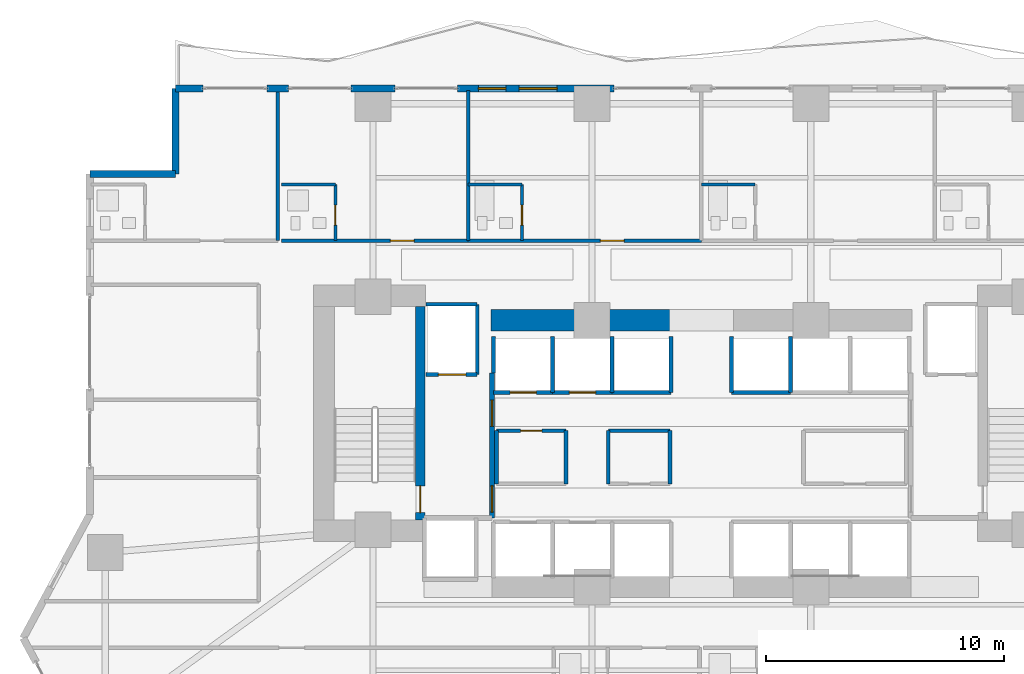
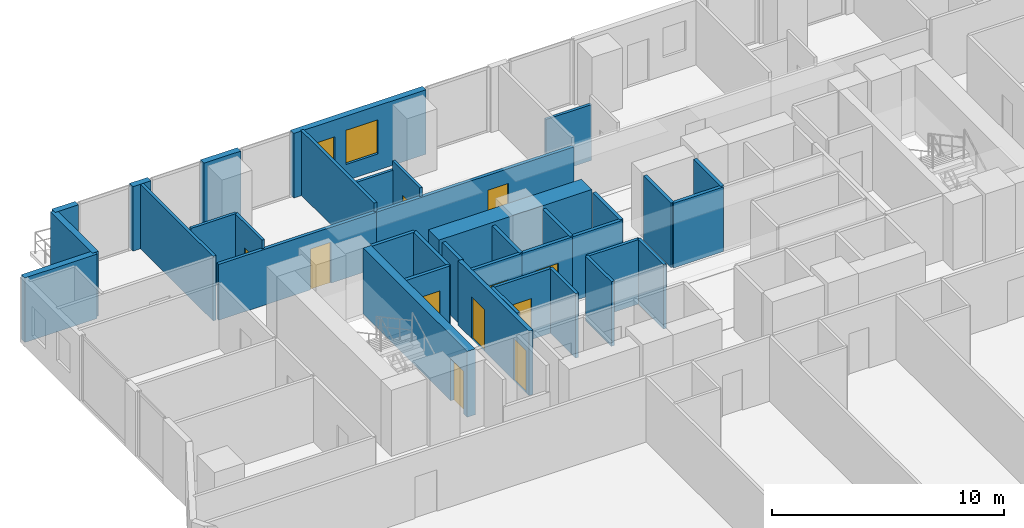
# One storey, part 21 of 30: 37 walls, 11 doors, 2 windows, 13 openings.
"""IFC4 building model written with IfcOpenShell, lengths in metres."""

from ifc_helpers import new_model, si_unit, direction, frame, frame_2d, origin, place, context, subcontext, project, spatial, rectangle, extrude, material, layer, layer_set, type_object, element, fill, save


model = new_model("IFC4")

# Units and contexts
model_context = context("Model", 3, precision=1e-05, world=origin(), true_north=direction((0.0, 1.0)))
body_context = subcontext(model_context, "Body", "Model", "MODEL_VIEW")
ifc_project = project(units=[si_unit("LENGTHUNIT", "METRE"), si_unit("AREAUNIT", "SQUARE_METRE"), si_unit("VOLUMEUNIT", "CUBIC_METRE"), si_unit("PLANEANGLEUNIT", "RADIAN"), si_unit("MASSUNIT", "GRAM", prefix="KILO")], contexts=[model_context])

# Site, building, storey
site_placement = place(None, origin())
site = spatial("IfcSite", under=ifc_project, at=site_placement, CompositionType="ELEMENT")
building_placement = place(site_placement, origin())
building = spatial("IfcBuilding", under=site, at=building_placement, Name="Zuhayl Quay Hotel", CompositionType="ELEMENT")
storey_placement = place(building_placement, frame((0.0, 0.0, 86.0)))
storey = spatial("IfcBuildingStorey", under=building, at=storey_placement, Name="L21", CompositionType="ELEMENT", Elevation=86.0)

# Walls
ifc_material_1 = material(Name="Concrete C70/85", Category="concrete")
ifc_layer_1 = layer(ifc_material_1, 0.89990234375, Name="Concrete C70/85", Category="concrete")
ifc_layer_set_1 = layer_set([ifc_layer_1], Name="Concrete C70/85")
wall_type_1 = type_object("IfcWallType", Name="WL_CORE_900", PredefinedType="SHEAR", material=ifc_layer_set_1)
wall_1_placement = place(storey_placement, frame((-8.85009765625, 13.35009765625, 0.0), z_axis=(0.0, 0.0, 1.0), x_axis=(1.0, 0.0, 0.0)))
element("IfcWall", 1, at=wall_1_placement, inside=storey, type_object=wall_type_1, Name="L21 Core Shear Wall CW_NC_W", PredefinedType="SHEAR", context=body_context, shape_type="SweptSolid", body=[
    extrude(rectangle(XDim=7.60009765625, YDim=0.89990234375, at=frame_2d((3.800048828125, 0.0))), origin(), (0.0, 0.0, 1.0), 3.389892578125),
])
ifc_material_2 = material(Name="Precast concrete C45/55", Category="concrete")
ifc_layer_2 = layer(ifc_material_2, 0.300048828125, Name="Precast concrete C45/55", Category="concrete")
ifc_layer_set_2 = layer_set([ifc_layer_2], Name="Precast concrete C45/55")
wall_type_2 = type_object("IfcWallType", Name="WL_EXT_300", PredefinedType="STANDARD", material=ifc_layer_set_2)
wall_2_placement = place(storey_placement, frame((-25.699951171875, 19.5, 0.0), z_axis=(0.0, 0.0, 1.0), x_axis=(1.0, 0.0, 0.0)))
element("IfcWall", 2, at=wall_2_placement, inside=storey, type_object=wall_type_2, Name="L21 Exterior Precast Wall ENV_L21_EW06", PredefinedType="STANDARD", context=body_context, shape_type="SweptSolid", body=[
    extrude(rectangle(XDim=3.599853515625, YDim=0.300048828125, at=frame_2d((1.7998046875, 0.0))), origin(), (0.0, 0.0, 1.0), 3.389892578125),
])
wall_3_placement = place(storey_placement, frame((-22.10009765625, 19.5, 0.0), z_axis=(0.0, 0.0, 1.0), x_axis=(0.0, 1.0, 0.0)))
element("IfcWall", 3, at=wall_3_placement, inside=storey, type_object=wall_type_2, Name="L21 Exterior Precast Wall ENV_L21_EW07", PredefinedType="STANDARD", context=body_context, shape_type="SweptSolid", body=[
    extrude(rectangle(XDim=3.60009765625, YDim=0.300048828125, at=frame_2d((1.800048828125, 0.0))), origin(), (0.0, 0.0, 1.0), 3.389892578125),
])
wall_4_placement = place(storey_placement, frame((-22.10009765625, 23.10009765625, 0.0), z_axis=(0.0, 0.0, 1.0), x_axis=(1.0, 0.0, 0.0)))
element("IfcWall", 4, at=wall_4_placement, inside=storey, type_object=wall_type_2, Name="L21 Exterior Precast Wall ENV_L21_N_EW1", PredefinedType="STANDARD", context=body_context, shape_type="SweptSolid", body=[
    extrude(rectangle(XDim=1.150146484375, YDim=0.300048828125, at=frame_2d((0.5751953125, 0.0))), origin(), (0.0, 0.0, 1.0), 3.389892578125),
])
wall_5_placement = place(storey_placement, frame((-18.25, 23.10009765625, 0.0), z_axis=(0.0, 0.0, 1.0), x_axis=(1.0, 0.0, 0.0)))
element("IfcWall", 5, at=wall_5_placement, inside=storey, type_object=wall_type_2, Name="L21 Exterior Precast Wall ENV_L21_N_EW2", PredefinedType="STANDARD", context=body_context, shape_type="SweptSolid", body=[
    extrude(rectangle(XDim=0.89990234375, YDim=0.300048828125, at=frame_2d((0.449951171875, 0.0))), origin(), (0.0, 0.0, 1.0), 3.389892578125),
])
wall_6_placement = place(storey_placement, frame((-14.719970703125, 23.10009765625, 0.0), z_axis=(0.0, 0.0, 1.0), x_axis=(1.0, 0.0, 0.0)))
element("IfcWall", 6, at=wall_6_placement, inside=storey, type_object=wall_type_2, Name="L21 Exterior Precast Wall ENV_L21_N_EW3", PredefinedType="STANDARD", context=body_context, shape_type="SweptSolid", body=[
    extrude(rectangle(XDim=1.840087890625, YDim=0.300048828125, at=frame_2d((0.919921875, 0.0))), origin(), (0.0, 0.0, 1.0), 3.389892578125),
])

# Wall, openings, windows
wall_7_placement = place(storey_placement, frame((-10.25, 23.10009765625, 0.0), z_axis=(0.0, 0.0, 1.0), x_axis=(1.0, 0.0, 0.0)))
wall_7 = element("IfcWall", 7, at=wall_7_placement, inside=storey, type_object=wall_type_2, Name="L21 Exterior Precast Wall ENV_L21_N_EW4", PredefinedType="STANDARD", context=body_context, shape_type="SweptSolid", body=[
    extrude(rectangle(XDim=6.570068359375, YDim=0.300048828125, at=frame_2d((3.28515625, 0.0))), origin(), (0.0, 0.0, 1.0), 3.389892578125),
])
opening_1_placement = place(wall_7_placement, frame((2.590087890625, 0.0, 0.85009765625)))
opening_1 = element("IfcOpeningElement", 8, at=opening_1_placement, cuts=wall_7, Name="Opening W01", PredefinedType="OPENING", context=body_context, shape_type="SweptSolid", body=[
    extrude(rectangle(XDim=1.60009765625, YDim=1.800048828125, at=frame_2d((0.800048828125, 0.89990234375))), frame((0.0, 0.159912109375, 0.0), z_axis=(0.0, -1.0, 0.0), x_axis=(1.0, 0.0, 0.0)), (0.0, 0.0, 1.0), 0.320068359375),
])
opening_2_placement = place(wall_7_placement, frame((0.8798828125, 0.0, 0.949951171875)))
opening_2 = element("IfcOpeningElement", 9, at=opening_2_placement, cuts=wall_7, Name="Opening W01N", PredefinedType="OPENING", context=body_context, shape_type="SweptSolid", body=[
    extrude(rectangle(XDim=1.14990234375, YDim=1.550048828125, at=frame_2d((0.574951171875, 0.77490234375))), frame((0.0, 0.159912109375, 0.0), z_axis=(0.0, -1.0, 0.0), x_axis=(1.0, 0.0, 0.0)), (0.0, 0.0, 1.0), 0.320068359375),
])
ifc_material_3 = material(Name="Dark Ceramic-Fritted Solar Glass", Category="glass")
window_type_1 = type_object("IfcWindowType", Name="WN_NOTCH_1350", PartitioningType="SINGLE_PANEL", PredefinedType="WINDOW", material=ifc_material_3)
window_1_placement = place(opening_2_placement, origin())
window_1 = element("IfcWindow", 10, at=window_1_placement, inside=storey, type_object=window_type_1, Name="L21 Operable Facade Window 4-1", OverallHeight=1.550048828125, OverallWidth=1.14990234375, PartitioningType="SINGLE_PANEL", PredefinedType="WINDOW", context=body_context, shape_type="SweptSolid", body=[
    extrude(rectangle(XDim=1.14990234375, YDim=1.550048828125, at=frame_2d((0.574951171875, 0.77490234375))), frame((0.0, 0.030029296875, 0.0), z_axis=(0.0, -1.0, 0.0), x_axis=(1.0, 0.0, 0.0)), (0.0, 0.0, 1.0), 0.06005859375),
])
fill(opening_2, window_1)
window_type_2 = type_object("IfcWindowType", Name="WN_OPERABLE_1600", PartitioningType="DOUBLE_PANEL_VERTICAL", PredefinedType="WINDOW", material=ifc_material_3)
window_2_placement = place(opening_1_placement, origin())
window_2 = element("IfcWindow", 11, at=window_2_placement, inside=storey, type_object=window_type_2, Name="L21 North Operable Casement Window", OverallHeight=1.800048828125, OverallWidth=1.60009765625, PartitioningType="SINGLE_PANEL", PredefinedType="WINDOW", context=body_context, shape_type="SweptSolid", body=[
    extrude(rectangle(XDim=1.60009765625, YDim=1.800048828125, at=frame_2d((0.800048828125, 0.89990234375))), frame((0.0, 0.030029296875, 0.0), z_axis=(0.0, -1.0, 0.0), x_axis=(1.0, 0.0, 0.0)), (0.0, 0.0, 1.0), 0.06005859375),
])
fill(opening_1, window_2)

# Wall, opening, door
ifc_material_4 = material(Name="Acoustic Gypsum Partition STC-58")
ifc_layer_3 = layer(ifc_material_4, 0.14990234375, Name="Acoustic Gypsum Partition STC-58")
ifc_layer_set_3 = layer_set([ifc_layer_3], Name="Acoustic Gypsum Partition STC-58")
wall_type_3 = type_object("IfcWallType", Name="WL_PART_150", PredefinedType="PARTITIONING", material=ifc_layer_set_3)
wall_8_placement = place(storey_placement, frame((-8.610107421875, 8.719970703125, 0.0), z_axis=(0.0, 0.0, 1.0), x_axis=(1.0, 0.0, 0.0)))
wall_8 = element("IfcWall", 12, at=wall_8_placement, inside=storey, type_object=wall_type_3, Name="L21 Partition IW_L21_CORE_HK_N", PredefinedType="PARTITIONING", context=body_context, shape_type="SweptSolid", body=[
    extrude(rectangle(XDim=2.920166015625, YDim=0.14990234375, at=frame_2d((1.4599609375, 0.0))), origin(), (0.0, 0.0, 1.0), 3.389892578125),
])
opening_3_placement = place(wall_8_placement, frame((1.010009765625, 0.0, 0.0)))
opening_3 = element("IfcOpeningElement", 13, at=opening_3_placement, cuts=wall_8, Name="Opening D06", PredefinedType="OPENING", context=body_context, shape_type="SweptSolid", body=[
    extrude(rectangle(XDim=0.89990234375, YDim=2.14990234375, at=frame_2d((0.449951171875, 1.074951171875))), frame((0.0, 0.0849609375, 0.0), z_axis=(0.0, -1.0, 0.0), x_axis=(1.0, 0.0, 0.0)), (0.0, 0.0, 1.0), 0.169921875),
])
ifc_material_5 = material(Name="Steel ASTM A992 Grade 50", Category="steel")
door_type_1 = type_object("IfcDoorType", Name="DR_INT_900", OperationType="NOTDEFINED", PredefinedType="DOOR", material=ifc_material_5)
door_1_placement = place(opening_3_placement, origin())
door_1 = element("IfcDoor", 14, at=door_1_placement, inside=storey, type_object=door_type_1, Name="L21 Core Housekeeping Store Door", OperationType="SINGLE_SWING_LEFT", OverallHeight=2.14990234375, OverallWidth=0.89990234375, PredefinedType="DOOR", context=body_context, shape_type="SweptSolid", body=[
    extrude(rectangle(XDim=0.89990234375, YDim=2.14990234375, at=frame_2d((0.449951171875, 1.074951171875))), frame((0.0, 0.02490234375, 0.0), z_axis=(0.0, -1.0, 0.0), x_axis=(1.0, 0.0, 0.0)), (0.0, 0.0, 1.0), 0.050048828125),
])
fill(opening_3, door_1)

# Walls
for number, where, z_axis, x_axis, name in (
    (15, (-8.610107421875, 6.47998046875, 0.0), (0.0, 0.0, 1.0), (0.0, 1.0, 0.0), "L21 Partition IW_L21_CORE_HK_W"),
    (16, (-5.68994140625, 6.47998046875, 0.0), (0.0, 0.0, 1.0), (0.0, 1.0, 0.0), "L21 Partition IW_L21_CORE_HK_E"),
):
    element("IfcWall", number, at=place(storey_placement, frame(where, z_axis=z_axis, x_axis=x_axis)), inside=storey, type_object=wall_type_3, Name=name, PredefinedType="PARTITIONING", context=body_context, shape_type="SweptSolid", body=[
        extrude(rectangle(XDim=2.239990234375, YDim=0.14990234375, at=frame_2d((1.1201171875, 0.0))), origin(), (0.0, 0.0, 1.0), 3.389892578125),
    ])
wall_9_placement = place(storey_placement, frame((-3.909912109375, 8.719970703125, 0.0), z_axis=(0.0, 0.0, 1.0), x_axis=(1.0, 0.0, 0.0)))
element("IfcWall", 17, at=wall_9_placement, inside=storey, type_object=wall_type_3, Name="L21 Partition IW_L21_CORE_BC_N", PredefinedType="PARTITIONING", context=body_context, shape_type="SweptSolid", body=[
    extrude(rectangle(XDim=2.58984375, YDim=0.14990234375, at=frame_2d((1.294921875, 0.0))), origin(), (0.0, 0.0, 1.0), 3.389892578125),
])
for number, where, z_axis, x_axis, name in (
    (18, (-3.909912109375, 6.47998046875, 0.0), (0.0, 0.0, 1.0), (0.0, 1.0, 0.0), "L21 Partition IW_L21_CORE_BC_W"),
    (19, (-1.320068359375, 6.47998046875, 0.0), (0.0, 0.0, 1.0), (0.0, 1.0, 0.0), "L21 Partition IW_L21_CORE_BC_E"),
):
    element("IfcWall", number, at=place(storey_placement, frame(where, z_axis=z_axis, x_axis=x_axis)), inside=storey, type_object=wall_type_3, Name=name, PredefinedType="PARTITIONING", context=body_context, shape_type="SweptSolid", body=[
        extrude(rectangle(XDim=2.239990234375, YDim=0.14990234375, at=frame_2d((1.1201171875, 0.0))), origin(), (0.0, 0.0, 1.0), 3.389892578125),
    ])
for number, where, z_axis, x_axis, name in (
    (20, (-17.800048828125, 16.699951171875, 0.0), (0.0, 0.0, 1.0), (0.0, 1.0, 0.0), "L21 Partition IW_L21_NU01A_E"),
    (21, (-9.800048828125, 16.699951171875, 0.0), (0.0, 0.0, 1.0), (0.0, 1.0, 0.0), "L21 Partition IW_L21_NU01B_E"),
):
    element("IfcWall", number, at=place(storey_placement, frame(where, z_axis=z_axis, x_axis=x_axis)), inside=storey, type_object=wall_type_3, Name=name, PredefinedType="PARTITIONING", context=body_context, shape_type="SweptSolid", body=[
        extrude(rectangle(XDim=6.320068359375, YDim=0.14990234375, at=frame_2d((3.16015625, 0.0))), origin(), (0.0, 0.0, 1.0), 3.389892578125),
    ])

# Wall, opening, door
ifc_layer_4 = layer(ifc_material_4, 0.159912109375, Name="Acoustic Gypsum Partition STC-58")
ifc_layer_set_4 = layer_set([ifc_layer_4], Name="Acoustic Gypsum Partition STC-58")
wall_type_4 = type_object("IfcWallType", Name="WL_PART_CORR_160", PredefinedType="PARTITIONING", material=ifc_layer_set_4)
wall_10_placement = place(storey_placement, frame((-17.639892578125, 16.699951171875, 0.0), z_axis=(0.0, 0.0, 1.0), x_axis=(1.0, 0.0, 0.0)))
wall_10 = element("IfcWall", 22, at=wall_10_placement, inside=storey, type_object=wall_type_4, Name="L21 Partition IW_L21_NU01B_COR", PredefinedType="PARTITIONING", context=body_context, shape_type="SweptSolid", body=[
    extrude(rectangle(XDim=7.83984375, YDim=0.159912109375, at=frame_2d((3.919921875, 0.0))), origin(), (0.0, 0.0, 1.0), 2.93310546875),
])
opening_4_placement = place(wall_10_placement, frame((4.570068359375, 0.0, 0.0)))
opening_4 = element("IfcOpeningElement", 23, at=opening_4_placement, cuts=wall_10, Name="Opening D03L", PredefinedType="OPENING", context=body_context, shape_type="SweptSolid", body=[
    extrude(rectangle(XDim=1.0, YDim=2.14990234375, at=frame_2d((0.5, 1.074951171875))), frame((0.0, 0.08984375, 0.0), z_axis=(0.0, -1.0, 0.0), x_axis=(1.0, 0.0, 0.0)), (0.0, 0.0, 1.0), 0.179931640625),
])
ifc_material_6 = material(Name="Solid Walnut Acoustic Fire Door")
door_type_2 = type_object("IfcDoorType", Name="DR_SUITE_1000", OperationType="NOTDEFINED", PredefinedType="DOOR", material=ifc_material_6)
door_2_placement = place(opening_4_placement, origin())
door_2 = element("IfcDoor", 24, at=door_2_placement, inside=storey, type_object=door_type_2, Name="L21 Deluxe Gulf Guest Room L21-01B Entrance Door", OperationType="SINGLE_SWING_LEFT", OverallHeight=2.14990234375, OverallWidth=1.0, PredefinedType="DOOR", context=body_context, shape_type="SweptSolid", body=[
    extrude(rectangle(XDim=1.0, YDim=2.14990234375, at=frame_2d((0.5, 1.074951171875))), frame((0.0, 0.02490234375, 0.0), z_axis=(0.0, -1.0, 0.0), x_axis=(1.0, 0.0, 0.0)), (0.0, 0.0, 1.0), 0.050048828125),
])
fill(opening_4, door_2)

wall_11_placement = place(storey_placement, frame((-9.800048828125, 16.699951171875, 0.0), z_axis=(0.0, 0.0, 1.0), x_axis=(1.0, 0.0, 0.0)))
wall_11 = element("IfcWall", 25, at=wall_11_placement, inside=storey, type_object=wall_type_4, Name="L21 Partition IW_L21_NU02_COR", PredefinedType="PARTITIONING", context=body_context, shape_type="SweptSolid", body=[
    extrude(rectangle(XDim=9.800048828125, YDim=0.159912109375, at=frame_2d((4.89990234375, 0.0))), origin(), (0.0, 0.0, 1.0), 2.93310546875),
])
opening_5_placement = place(wall_11_placement, frame((5.550048828125, 0.0, 0.0)))
opening_5 = element("IfcOpeningElement", 26, at=opening_5_placement, cuts=wall_11, Name="Opening D03L", PredefinedType="OPENING", context=body_context, shape_type="SweptSolid", body=[
    extrude(rectangle(XDim=1.0, YDim=2.14990234375, at=frame_2d((0.5, 1.074951171875))), frame((0.0, 0.08984375, 0.0), z_axis=(0.0, -1.0, 0.0), x_axis=(1.0, 0.0, 0.0)), (0.0, 0.0, 1.0), 0.179931640625),
])
door_3_placement = place(opening_5_placement, origin())
door_3 = element("IfcDoor", 27, at=door_3_placement, inside=storey, type_object=door_type_2, Name="L21 Deluxe Gulf Guest Room L21-02 Entrance Door", OperationType="SINGLE_SWING_LEFT", OverallHeight=2.14990234375, OverallWidth=1.0, PredefinedType="DOOR", context=body_context, shape_type="SweptSolid", body=[
    extrude(rectangle(XDim=1.0, YDim=2.14990234375, at=frame_2d((0.5, 1.074951171875))), frame((0.0, 0.02490234375, 0.0), z_axis=(0.0, -1.0, 0.0), x_axis=(1.0, 0.0, 0.0)), (0.0, 0.0, 1.0), 0.050048828125),
])
fill(opening_5, door_3)

ifc_material_7 = material(Name="Moisture-Resistant Sanitarychase Gypsum")
ifc_layer_5 = layer(ifc_material_7, 0.135009765625, Name="Moisture-Resistant Sanitarychase Gypsum")
ifc_layer_set_5 = layer_set([ifc_layer_5], Name="Moisture-Resistant Sanitarychase Gypsum")
wall_type_5 = type_object("IfcWallType", Name="WL_PART_PLUMB_150", PredefinedType="PLUMBINGWALL", material=ifc_layer_set_5)
wall_12_placement = place(storey_placement, frame((-15.3798828125, 16.699951171875, 0.0), z_axis=(0.0, 0.0, 1.0), x_axis=(0.0, 1.0, 0.0)))
wall_12 = element("IfcWall", 28, at=wall_12_placement, inside=storey, type_object=wall_type_5, Name="L21 Partition IW_L21_NU01B_BE", PredefinedType="PLUMBINGWALL", context=body_context, shape_type="SweptSolid", body=[
    extrude(rectangle(XDim=2.360107421875, YDim=0.135009765625, at=frame_2d((1.18017578125, 0.0))), origin(), (0.0, 0.0, 1.0), 3.389892578125),
])
opening_6_placement = place(wall_12_placement, frame((0.64990234375, 0.0, 0.0)))
opening_6 = element("IfcOpeningElement", 29, at=opening_6_placement, cuts=wall_12, Name="Opening D04", PredefinedType="OPENING", context=body_context, shape_type="SweptSolid", body=[
    extrude(rectangle(XDim=0.85009765625, YDim=2.10009765625, at=frame_2d((0.425048828125, 1.050048828125))), frame((0.0, 0.077392578125, 0.0), z_axis=(0.0, -1.0, 0.0), x_axis=(1.0, 0.0, 0.0)), (0.0, 0.0, 1.0), 0.155029296875),
])
ifc_material_8 = material(Name="Moisture-Resistant Walnut Veneer")
door_type_3 = type_object("IfcDoorType", Name="DR_BATH_850", OperationType="NOTDEFINED", PredefinedType="DOOR", material=ifc_material_8)
door_4_placement = place(opening_6_placement, origin())
door_4 = element("IfcDoor", 30, at=door_4_placement, inside=storey, type_object=door_type_3, Name="L21 Deluxe Gulf Guest Room L21-01B En-Suite Door", OperationType="SINGLE_SWING_RIGHT", OverallHeight=2.10009765625, OverallWidth=0.85009765625, PredefinedType="DOOR", context=body_context, shape_type="SweptSolid", body=[
    extrude(rectangle(XDim=0.85009765625, YDim=2.10009765625, at=frame_2d((0.425048828125, 1.050048828125))), frame((0.0, 0.02490234375, 0.0), z_axis=(0.0, -1.0, 0.0), x_axis=(1.0, 0.0, 0.0)), (0.0, 0.0, 1.0), 0.050048828125),
])
fill(opening_6, door_4)

wall_13_placement = place(storey_placement, frame((-7.5400390625, 16.699951171875, 0.0), z_axis=(0.0, 0.0, 1.0), x_axis=(0.0, 1.0, 0.0)))
wall_13 = element("IfcWall", 31, at=wall_13_placement, inside=storey, type_object=wall_type_5, Name="L21 Partition IW_L21_NU02_BE", PredefinedType="PLUMBINGWALL", context=body_context, shape_type="SweptSolid", body=[
    extrude(rectangle(XDim=2.360107421875, YDim=0.135009765625, at=frame_2d((1.18017578125, 0.0))), origin(), (0.0, 0.0, 1.0), 3.389892578125),
])
opening_7_placement = place(wall_13_placement, frame((0.64990234375, 0.0, 0.0)))
opening_7 = element("IfcOpeningElement", 32, at=opening_7_placement, cuts=wall_13, Name="Opening D04", PredefinedType="OPENING", context=body_context, shape_type="SweptSolid", body=[
    extrude(rectangle(XDim=0.85009765625, YDim=2.10009765625, at=frame_2d((0.425048828125, 1.050048828125))), frame((0.0, 0.077392578125, 0.0), z_axis=(0.0, -1.0, 0.0), x_axis=(1.0, 0.0, 0.0)), (0.0, 0.0, 1.0), 0.155029296875),
])
door_5_placement = place(opening_7_placement, origin())
door_5 = element("IfcDoor", 33, at=door_5_placement, inside=storey, type_object=door_type_3, Name="L21 Deluxe Gulf Guest Room L21-02 En-Suite Door", OperationType="SINGLE_SWING_RIGHT", OverallHeight=2.10009765625, OverallWidth=0.85009765625, PredefinedType="DOOR", context=body_context, shape_type="SweptSolid", body=[
    extrude(rectangle(XDim=0.85009765625, YDim=2.10009765625, at=frame_2d((0.425048828125, 1.050048828125))), frame((0.0, 0.02490234375, 0.0), z_axis=(0.0, -1.0, 0.0), x_axis=(1.0, 0.0, 0.0)), (0.0, 0.0, 1.0), 0.050048828125),
])
fill(opening_7, door_5)

# Walls
wall_14_placement = place(storey_placement, frame((-17.639892578125, 19.06005859375, 0.0), z_axis=(0.0, 0.0, 1.0), x_axis=(1.0, 0.0, 0.0)))
element("IfcWall", 34, at=wall_14_placement, inside=storey, type_object=wall_type_5, Name="L21 Partition IW_L21_NU01B_BN", PredefinedType="PLUMBINGWALL", context=body_context, shape_type="SweptSolid", body=[
    extrude(rectangle(XDim=2.260009765625, YDim=0.135009765625, at=frame_2d((1.1298828125, 0.0))), origin(), (0.0, 0.0, 1.0), 3.389892578125),
])
for number, where, z_axis, x_axis, name in (
    (35, (-9.800048828125, 19.06005859375, 0.0), (0.0, 0.0, 1.0), (1.0, 0.0, 0.0), "L21 Partition IW_L21_NU02_BN"),
    (36, (0.0, 19.06005859375, 0.0), (0.0, 0.0, 1.0), (1.0, 0.0, 0.0), "L21 Partition IW_L21_NU03_BN"),
):
    element("IfcWall", number, at=place(storey_placement, frame(where, z_axis=z_axis, x_axis=x_axis)), inside=storey, type_object=wall_type_5, Name=name, PredefinedType="PLUMBINGWALL", context=body_context, shape_type="SweptSolid", body=[
        extrude(rectangle(XDim=2.260009765625, YDim=0.135009765625, at=frame_2d((1.1298828125, 0.0))), origin(), (0.0, 0.0, 1.0), 2.93310546875),
    ])

# Wall, opening, door
ifc_material_9 = material(Name="Gypsum Fireboard Assembly EI-90")
ifc_layer_6 = layer(ifc_material_9, 0.1650390625, Name="Gypsum Fireboard Assembly EI-90")
ifc_layer_set_6 = layer_set([ifc_layer_6], Name="Gypsum Fireboard Assembly EI-90")
wall_type_6 = type_object("IfcWallType", Name="WL_PART_SHAFT_160", PredefinedType="PARTITIONING", material=ifc_layer_set_6)
wall_15_placement = place(storey_placement, frame((-11.580078125, 11.070068359375, 0.0), z_axis=(0.0, 0.0, 1.0), x_axis=(1.0, 0.0, 0.0)))
wall_15 = element("IfcWall", 37, at=wall_15_placement, inside=storey, type_object=wall_type_6, Name="L21 Partition IW_L21_SH_FL1_F", PredefinedType="PARTITIONING", context=body_context, shape_type="SweptSolid", body=[
    extrude(rectangle(XDim=2.16015625, YDim=0.1650390625, at=frame_2d((1.080078125, 0.0))), origin(), (0.0, 0.0, 1.0), 3.389892578125),
])
opening_8_placement = place(wall_15_placement, frame((0.530029296875, 0.0, 0.0)))
opening_8 = element("IfcOpeningElement", 38, at=opening_8_placement, cuts=wall_15, Name="Opening LD2", PredefinedType="OPENING", context=body_context, shape_type="SweptSolid", body=[
    extrude(rectangle(XDim=1.14990234375, YDim=2.25, at=frame_2d((0.574951171875, 1.125))), frame((0.0, 0.092529296875, 0.0), z_axis=(0.0, -1.0, 0.0), x_axis=(1.0, 0.0, 0.0)), (0.0, 0.0, 1.0), 0.18505859375),
])
ifc_material_10 = material(Name="Brushed Stainless Steel", Category="steel")
door_type_4 = type_object("IfcDoorType", Name="DR_LIFT_FF_1100", OperationType="SLIDING_TO_LEFT", PredefinedType="DOOR", material=ifc_material_10)
door_6_placement = place(opening_8_placement, origin())
door_6 = element("IfcDoor", 39, at=door_6_placement, inside=storey, type_object=door_type_4, Name="L21 Lift FL1 Sliding Landing Door", OperationType="SLIDING_TO_LEFT", OverallHeight=2.25, OverallWidth=1.14990234375, PredefinedType="DOOR", context=body_context, shape_type="SweptSolid", body=[
    extrude(rectangle(XDim=1.14990234375, YDim=2.25, at=frame_2d((0.574951171875, 1.125))), frame((0.0, 0.02490234375, 0.0), z_axis=(0.0, -1.0, 0.0), x_axis=(1.0, 0.0, 0.0)), (0.0, 0.0, 1.0), 0.050048828125),
])
fill(opening_8, door_6)

wall_16_placement = place(storey_placement, frame((-8.72998046875, 10.320068359375, 0.0), z_axis=(0.0, 0.0, 1.0), x_axis=(1.0, 0.0, 0.0)))
wall_16 = element("IfcWall", 40, at=wall_16_placement, inside=storey, type_object=wall_type_6, Name="L21 Partition IW_L21_SH_LP3_F", PredefinedType="PARTITIONING", context=body_context, shape_type="SweptSolid", body=[
    extrude(rectangle(XDim=2.47998046875, YDim=0.1650390625, at=frame_2d((1.239990234375, 0.0))), origin(), (0.0, 0.0, 1.0), 3.389892578125),
])
opening_9_placement = place(wall_16_placement, frame((0.68994140625, 0.0, 0.0)))
opening_9 = element("IfcOpeningElement", 41, at=opening_9_placement, cuts=wall_16, Name="Opening LD1", PredefinedType="OPENING", context=body_context, shape_type="SweptSolid", body=[
    extrude(rectangle(XDim=1.10009765625, YDim=2.25, at=frame_2d((0.550048828125, 1.125))), frame((0.0, 0.092529296875, 0.0), z_axis=(0.0, -1.0, 0.0), x_axis=(1.0, 0.0, 0.0)), (0.0, 0.0, 1.0), 0.18505859375),
])
door_type_5 = type_object("IfcDoorType", Name="DR_LIFT_PASS_1100", OperationType="SLIDING_TO_LEFT", PredefinedType="DOOR", material=ifc_material_10)
door_7_placement = place(opening_9_placement, origin())
door_7 = element("IfcDoor", 42, at=door_7_placement, inside=storey, type_object=door_type_5, Name="L21 Lift LP3 Sliding Landing Door", OperationType="SLIDING_TO_LEFT", OverallHeight=2.25, OverallWidth=1.10009765625, PredefinedType="DOOR", context=body_context, shape_type="SweptSolid", body=[
    extrude(rectangle(XDim=1.10009765625, YDim=2.25, at=frame_2d((0.550048828125, 1.125))), frame((0.0, 0.02490234375, 0.0), z_axis=(0.0, -1.0, 0.0), x_axis=(1.0, 0.0, 0.0)), (0.0, 0.0, 1.0), 0.050048828125),
])
fill(opening_9, door_7)

wall_17_placement = place(storey_placement, frame((-6.25, 10.320068359375, 0.0), z_axis=(0.0, 0.0, 1.0), x_axis=(1.0, 0.0, 0.0)))
wall_17 = element("IfcWall", 43, at=wall_17_placement, inside=storey, type_object=wall_type_6, Name="L21 Partition IW_L21_SH_LP4_F", PredefinedType="PARTITIONING", context=body_context, shape_type="SweptSolid", body=[
    extrude(rectangle(XDim=2.5, YDim=0.1650390625, at=frame_2d((1.25, 0.0))), origin(), (0.0, 0.0, 1.0), 3.389892578125),
])
opening_10_placement = place(wall_17_placement, frame((0.699951171875, 0.0, 0.0)))
opening_10 = element("IfcOpeningElement", 44, at=opening_10_placement, cuts=wall_17, Name="Opening LD1", PredefinedType="OPENING", context=body_context, shape_type="SweptSolid", body=[
    extrude(rectangle(XDim=1.10009765625, YDim=2.25, at=frame_2d((0.550048828125, 1.125))), frame((0.0, 0.092529296875, 0.0), z_axis=(0.0, -1.0, 0.0), x_axis=(1.0, 0.0, 0.0)), (0.0, 0.0, 1.0), 0.18505859375),
])
door_8_placement = place(opening_10_placement, origin())
door_8 = element("IfcDoor", 45, at=door_8_placement, inside=storey, type_object=door_type_5, Name="L21 Lift LP4 Sliding Landing Door", OperationType="SLIDING_TO_LEFT", OverallHeight=2.25, OverallWidth=1.10009765625, PredefinedType="DOOR", context=body_context, shape_type="SweptSolid", body=[
    extrude(rectangle(XDim=1.10009765625, YDim=2.25, at=frame_2d((0.550048828125, 1.125))), frame((0.0, 0.02490234375, 0.0), z_axis=(0.0, -1.0, 0.0), x_axis=(1.0, 0.0, 0.0)), (0.0, 0.0, 1.0), 0.050048828125),
])
fill(opening_10, door_8)

# Walls
wall_18_placement = place(storey_placement, frame((-9.419921875, 11.070068359375, 0.0), z_axis=(0.0, 0.0, 1.0), x_axis=(0.0, 1.0, 0.0)))
element("IfcWall", 46, at=wall_18_placement, inside=storey, type_object=wall_type_6, Name="L21 Partition IW_L21_SH_FL1_E", PredefinedType="PARTITIONING", context=body_context, shape_type="SweptSolid", body=[
    extrude(rectangle(XDim=2.9599609375, YDim=0.1650390625, at=frame_2d((1.47998046875, 0.0))), origin(), (0.0, 0.0, 1.0), 3.389892578125),
])
wall_19_placement = place(storey_placement, frame((-11.580078125, 14.030029296875, 0.0), z_axis=(0.0, 0.0, 1.0), x_axis=(1.0, 0.0, 0.0)))
element("IfcWall", 47, at=wall_19_placement, inside=storey, type_object=wall_type_6, Name="L21 Partition IW_L21_SH_FL1_B", PredefinedType="PARTITIONING", context=body_context, shape_type="SweptSolid", body=[
    extrude(rectangle(XDim=2.16015625, YDim=0.1650390625, at=frame_2d((1.080078125, 0.0))), origin(), (0.0, 0.0, 1.0), 3.389892578125),
])
wall_20_placement = place(storey_placement, frame((-8.72998046875, 11.14990234375, 0.0), z_axis=(0.0, 0.0, 1.0), x_axis=(0.0, 1.0, 0.0)))
element("IfcWall", 48, at=wall_20_placement, inside=storey, type_object=wall_type_6, Name="L21 Partition IW_L21_SH_LP3_W", PredefinedType="PARTITIONING", context=body_context, shape_type="SweptSolid", body=[
    extrude(rectangle(XDim=1.530029296875, YDim=0.1650390625, at=frame_2d((0.76513671875, 0.0))), origin(), (0.0, 0.0, 1.0), 3.389892578125),
])
for number, where, z_axis, x_axis, name in (
    (49, (-6.25, 10.320068359375, 0.0), (0.0, 0.0, 1.0), (0.0, 1.0, 0.0), "L21 Partition IW_L21_SH_LP3_E"),
    (50, (-3.75, 10.320068359375, 0.0), (0.0, 0.0, 1.0), (0.0, 1.0, 0.0), "L21 Partition IW_L21_SH_LP4_E"),
):
    element("IfcWall", number, at=place(storey_placement, frame(where, z_axis=z_axis, x_axis=x_axis)), inside=storey, type_object=wall_type_6, Name=name, PredefinedType="PARTITIONING", context=body_context, shape_type="SweptSolid", body=[
        extrude(rectangle(XDim=2.35986328125, YDim=0.1650390625, at=frame_2d((1.179931640625, 0.0))), origin(), (0.0, 0.0, 1.0), 3.389892578125),
    ])
wall_21_placement = place(storey_placement, frame((-3.75, 10.320068359375, 0.0), z_axis=(0.0, 0.0, 1.0), x_axis=(1.0, 0.0, 0.0)))
element("IfcWall", 51, at=wall_21_placement, inside=storey, type_object=wall_type_6, Name="L21 Partition IW_L21_SH_MP3_F", PredefinedType="PARTITIONING", context=body_context, shape_type="SweptSolid", body=[
    extrude(rectangle(XDim=2.47998046875, YDim=0.1650390625, at=frame_2d((1.239990234375, 0.0))), origin(), (0.0, 0.0, 1.0), 3.389892578125),
])
wall_22_placement = place(storey_placement, frame((-1.27001953125, 10.320068359375, 0.0), z_axis=(0.0, 0.0, 1.0), x_axis=(0.0, 1.0, 0.0)))
element("IfcWall", 52, at=wall_22_placement, inside=storey, type_object=wall_type_6, Name="L21 Partition IW_L21_SH_MP3_E", PredefinedType="PARTITIONING", context=body_context, shape_type="SweptSolid", body=[
    extrude(rectangle(XDim=2.35986328125, YDim=0.1650390625, at=frame_2d((1.179931640625, 0.0))), origin(), (0.0, 0.0, 1.0), 3.389892578125),
])
wall_23_placement = place(storey_placement, frame((1.27001953125, 10.320068359375, 0.0), z_axis=(0.0, 0.0, 1.0), x_axis=(1.0, 0.0, 0.0)))
element("IfcWall", 53, at=wall_23_placement, inside=storey, type_object=wall_type_6, Name="L21 Partition IW_L21_SH_MP4_F", PredefinedType="PARTITIONING", context=body_context, shape_type="SweptSolid", body=[
    extrude(rectangle(XDim=2.47998046875, YDim=0.1650390625, at=frame_2d((1.239990234375, 0.0))), origin(), (0.0, 0.0, 1.0), 3.389892578125),
])
for number, where, z_axis, x_axis, name in (
    (54, (1.27001953125, 10.320068359375, 0.0), (0.0, 0.0, 1.0), (0.0, 1.0, 0.0), "L21 Partition IW_L21_SH_MP4_W"),
    (55, (3.75, 10.320068359375, 0.0), (0.0, 0.0, 1.0), (0.0, 1.0, 0.0), "L21 Partition IW_L21_SH_MP4_E"),
):
    element("IfcWall", number, at=place(storey_placement, frame(where, z_axis=z_axis, x_axis=x_axis)), inside=storey, type_object=wall_type_6, Name=name, PredefinedType="PARTITIONING", context=body_context, shape_type="SweptSolid", body=[
        extrude(rectangle(XDim=2.35986328125, YDim=0.1650390625, at=frame_2d((1.179931640625, 0.0))), origin(), (0.0, 0.0, 1.0), 3.389892578125),
    ])

# Wall, openings, doors
ifc_material_11 = material(Name="Gypsum Fireboard Assembly EI-120")
ifc_layer_7 = layer(ifc_material_11, 0.199951171875, Name="Gypsum Fireboard Assembly EI-120")
ifc_layer_set_7 = layer_set([ifc_layer_7], Name="Gypsum Fireboard Assembly EI-120")
wall_type_7 = type_object("IfcWallType", Name="WL_PART_SHAFT_200", PredefinedType="PARTITIONING", material=ifc_layer_set_7)
wall_24_placement = place(storey_placement, frame((-8.800048828125, 5.050048828125, 0.0), z_axis=(0.0, 0.0, 1.0), x_axis=(0.0, 1.0, 0.0)))
wall_24 = element("IfcWall", 56, at=wall_24_placement, inside=storey, type_object=wall_type_7, Name="L21 Partition IW_L21_FSAE_W_E", PredefinedType="PARTITIONING", context=body_context, shape_type="SweptSolid", body=[
    extrude(rectangle(XDim=6.099853515625, YDim=0.199951171875, at=frame_2d((3.0498046875, 0.0))), origin(), (0.0, 0.0, 1.0), 3.389892578125),
])
opening_11_placement = place(wall_24_placement, frame((0.25, 0.0, 0.0)))
opening_11 = element("IfcOpeningElement", 57, at=opening_11_placement, cuts=wall_24, Name="Opening D02", PredefinedType="OPENING", context=body_context, shape_type="SweptSolid", body=[
    extrude(rectangle(XDim=1.10009765625, YDim=2.199951171875, at=frame_2d((0.550048828125, 1.10009765625))), frame((0.0, 0.10986328125, 0.0), z_axis=(0.0, -1.0, 0.0), x_axis=(1.0, 0.0, 0.0)), (0.0, 0.0, 1.0), 0.219970703125),
])
opening_12_placement = place(wall_24_placement, frame((3.85009765625, 0.0, 0.0)))
opening_12 = element("IfcOpeningElement", 58, at=opening_12_placement, cuts=wall_24, Name="Opening D02", PredefinedType="OPENING", context=body_context, shape_type="SweptSolid", body=[
    extrude(rectangle(XDim=1.10009765625, YDim=2.199951171875, at=frame_2d((0.550048828125, 1.10009765625))), frame((0.0, 0.10986328125, 0.0), z_axis=(0.0, -1.0, 0.0), x_axis=(1.0, 0.0, 0.0)), (0.0, 0.0, 1.0), 0.219970703125),
])
door_type_6 = type_object("IfcDoorType", Name="DR_FIRE_90_1100", OperationType="NOTDEFINED", PredefinedType="DOOR", material=ifc_material_5)
door_9_placement = place(opening_11_placement, origin())
door_9 = element("IfcDoor", 59, at=door_9_placement, inside=storey, type_object=door_type_6, Name="L21 FSAE Lobby West South Entry Door", OperationType="SINGLE_SWING_LEFT", OverallHeight=2.199951171875, OverallWidth=1.10009765625, PredefinedType="DOOR", context=body_context, shape_type="SweptSolid", body=[
    extrude(rectangle(XDim=1.10009765625, YDim=2.199951171875, at=frame_2d((0.550048828125, 1.10009765625))), frame((0.0, 0.02490234375, 0.0), z_axis=(0.0, -1.0, 0.0), x_axis=(1.0, 0.0, 0.0)), (0.0, 0.0, 1.0), 0.050048828125),
])
fill(opening_11, door_9)
door_10_placement = place(opening_12_placement, origin())
door_10 = element("IfcDoor", 60, at=door_10_placement, inside=storey, type_object=door_type_6, Name="L21 FSAE Lobby West North Entry Door", OperationType="SINGLE_SWING_RIGHT", OverallHeight=2.199951171875, OverallWidth=1.10009765625, PredefinedType="DOOR", context=body_context, shape_type="SweptSolid", body=[
    extrude(rectangle(XDim=1.10009765625, YDim=2.199951171875, at=frame_2d((0.550048828125, 1.10009765625))), frame((0.0, 0.02490234375, 0.0), z_axis=(0.0, -1.0, 0.0), x_axis=(1.0, 0.0, 0.0)), (0.0, 0.0, 1.0), 0.050048828125),
])
fill(opening_12, door_10)

# Wall, opening, door
ifc_material_12 = material(Name="Concrete C60/75", Category="concrete")
ifc_layer_8 = layer(ifc_material_12, 0.39990234375, Name="Concrete C60/75", Category="concrete")
ifc_layer_set_8 = layer_set([ifc_layer_8], Name="Concrete C60/75")
wall_type_8 = type_object("IfcWallType", Name="WL_STAIR_400", PredefinedType="SHEAR", material=ifc_layer_set_8)
wall_25_placement = place(storey_placement, frame((-11.820068359375, 4.969970703125, 0.0), z_axis=(0.0, 0.0, 1.0), x_axis=(0.0, 1.0, 0.0)))
wall_25 = element("IfcWall", 61, at=wall_25_placement, inside=storey, type_object=wall_type_8, Name="L21 Core Shear Wall SW_ST1", PredefinedType="SHEAR", context=body_context, shape_type="SweptSolid", body=[
    extrude(rectangle(XDim=8.9599609375, YDim=0.39990234375, at=frame_2d((4.47998046875, 0.0))), origin(), (0.0, 0.0, 1.0), 3.4599609375),
])
opening_13_placement = place(wall_25_placement, frame((0.31005859375, 0.0, 0.0)))
opening_13 = element("IfcOpeningElement", 62, at=opening_13_placement, cuts=wall_25, Name="Opening D01", PredefinedType="OPENING", context=body_context, shape_type="SweptSolid", body=[
    extrude(rectangle(XDim=1.1201171875, YDim=2.219970703125, at=frame_2d((0.56005859375, 1.10986328125))), frame((0.0, 0.2099609375, 0.0), z_axis=(0.0, -1.0, 0.0), x_axis=(1.0, 0.0, 0.0)), (0.0, 0.0, 1.0), 0.419921875),
])
door_type_7 = type_object("IfcDoorType", Name="DR_STAIR_90_1100", OperationType="NOTDEFINED", PredefinedType="DOOR", material=ifc_material_5)
door_11_placement = place(opening_13_placement, origin())
door_11 = element("IfcDoor", 63, at=door_11_placement, inside=storey, type_object=door_type_7, Name="L21 Smokeproof Exit Stair ST1 Door", OperationType="SINGLE_SWING_LEFT", OverallHeight=2.219970703125, OverallWidth=1.1201171875, PredefinedType="DOOR", context=body_context, shape_type="SweptSolid", body=[
    extrude(rectangle(XDim=1.1201171875, YDim=2.219970703125, at=frame_2d((0.56005859375, 1.10986328125))), frame((0.0, 0.02490234375, 0.0), z_axis=(0.0, -1.0, 0.0), x_axis=(1.0, 0.0, 0.0)), (0.0, 0.0, 1.0), 0.050048828125),
])
fill(opening_13, door_11)

save(model, "model.ifc")
